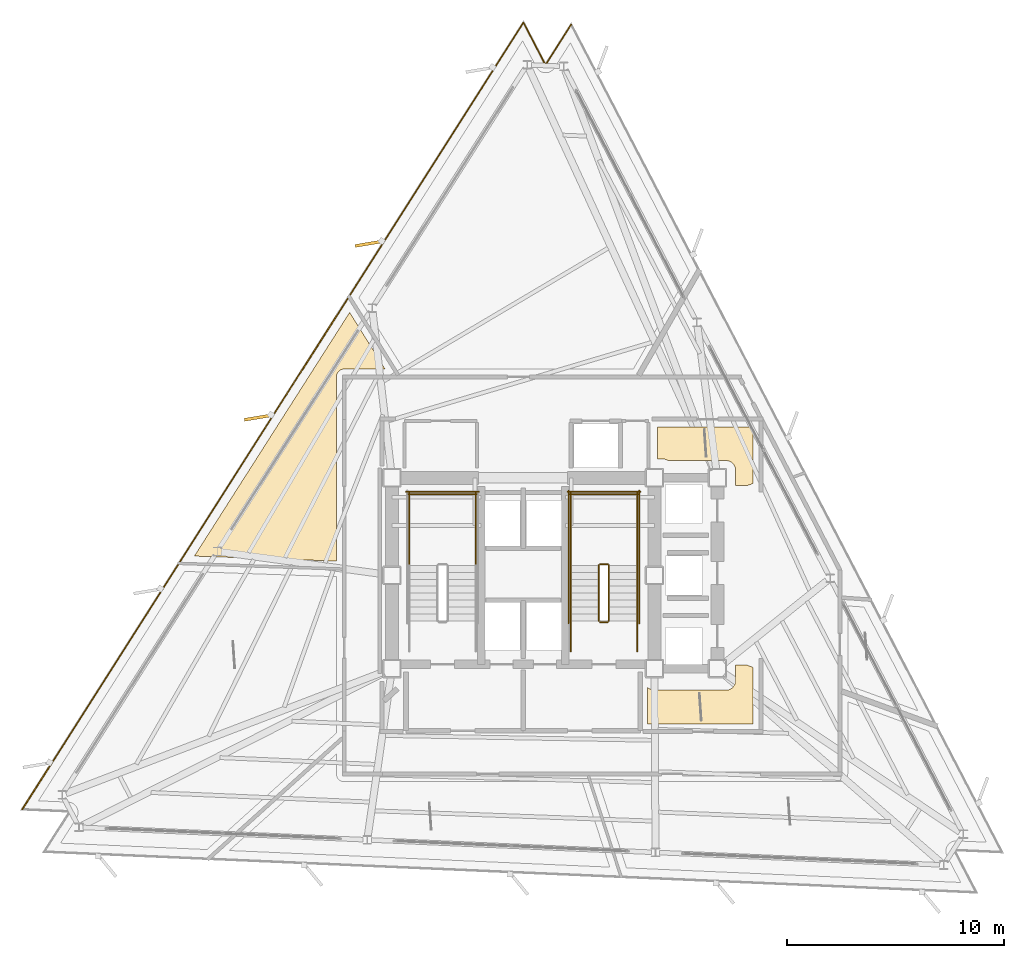
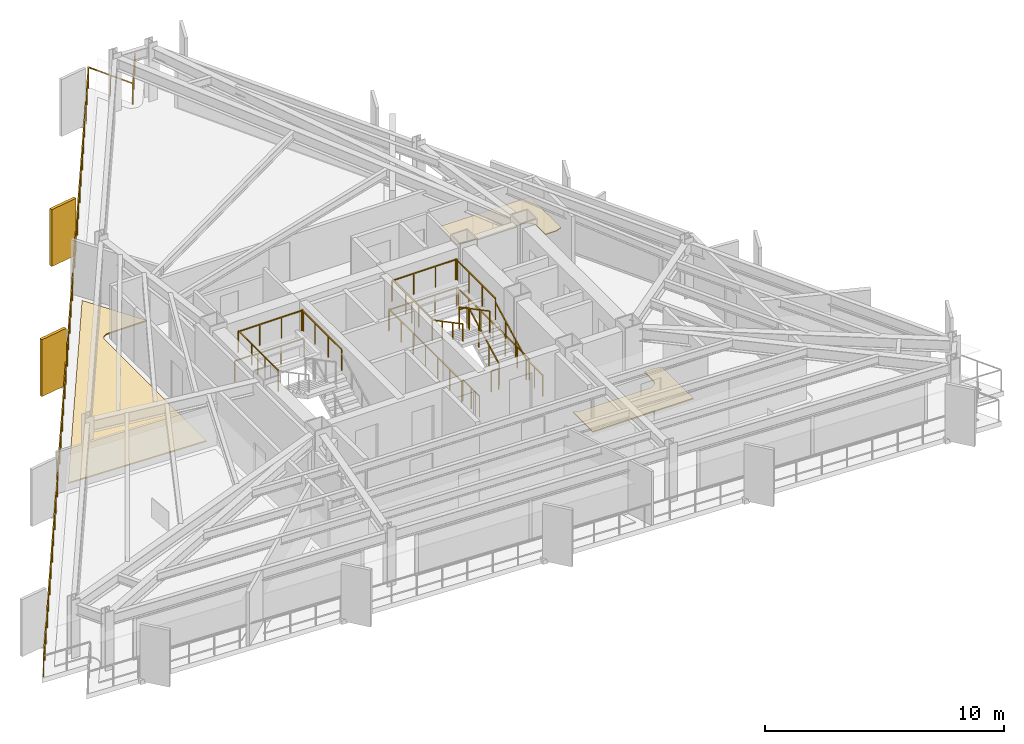
# One storey, part 11 of 12: 19 railings, 3 coverings, 2 shading devices.
"""IFC4 building model written with IfcOpenShell, lengths in metres."""

from ifc_helpers import new_model, si_unit, direction, frame, origin, origin_2d, place, context, subcontext, project, spatial, polyline, rectangle, outline, extrude, material, layer, layer_set, type_object, element, save


model = new_model("IFC4")

# Units and contexts
model_context = context("Model", 3, precision=1e-05, world=origin(), true_north=direction((0.0, 1.0)))
body_context = subcontext(model_context, "Body", "Model", "MODEL_VIEW")
ifc_project = project(units=[si_unit("LENGTHUNIT", "METRE"), si_unit("AREAUNIT", "SQUARE_METRE"), si_unit("VOLUMEUNIT", "CUBIC_METRE"), si_unit("PLANEANGLEUNIT", "RADIAN"), si_unit("MASSUNIT", "GRAM", prefix="KILO")], contexts=[model_context])

# Site, building, storey
site_placement = place(None, origin())
site = spatial("IfcSite", under=ifc_project, at=site_placement, CompositionType="ELEMENT")
building_placement = place(site_placement, origin())
building = spatial("IfcBuilding", under=site, at=building_placement, Name="Rocaltana Carrier Exchange", CompositionType="ELEMENT")
storey_placement = place(building_placement, frame((0.0, 0.0, 138.080078125)))
storey = spatial("IfcBuildingStorey", under=building, at=storey_placement, Name="L43", CompositionType="ELEMENT", Elevation=138.080078125)

# Coverings
ifc_material_1 = material(Name="Calcium Sulphate & Aluminium Pedestal", Category="aluminium")
ifc_layer_1 = layer(ifc_material_1, 0.06005859375)
ifc_layer_set_1 = layer_set([ifc_layer_1], Name="Calcium Sulphate & Aluminium Pedestal")
covering_type_1 = type_object("IfcCoveringType", Name="Anti-Static Raised Exchange Access Floor 60", PredefinedType="FLOORING", material=ifc_layer_set_1)
covering_1_placement = place(storey_placement, origin())
element("IfcCovering", 1, at=covering_1_placement, inside=storey, type_object=covering_type_1, Name="L43 Peering Conference Room Finish Floor", PredefinedType="FLOORING", context=body_context, shape_type="SweptSolid", body=[
    extrude(outline(polyline([(5.739990234375, -6.840087890625), (5.739990234375, -5.161865234375), (5.748779296875, -5.170654296875), (5.760498046875, -5.18115234375), (5.78173828125, -5.198486328125), (5.794189453125, -5.2080078125), (5.817138671875, -5.22314453125), (5.83056640625, -5.231201171875), (5.85498046875, -5.244140625), (5.869140625, -5.2509765625), (5.894287109375, -5.261474609375), (5.9091796875, -5.2666015625), (5.935546875, -5.274658203125), (5.95068359375, -5.278564453125), (5.977783203125, -5.283935546875), (5.9931640625, -5.2861328125), (6.0205078125, -5.288818359375), (6.036376953125, -5.289794921875), (6.050048828125, -5.2900390625), (9.35009765625, -5.2900390625), (9.36376953125, -5.289794921875), (9.37939453125, -5.288818359375), (9.40673828125, -5.2861328125), (9.42236328125, -5.283935546875), (9.44921875, -5.278564453125), (9.464599609375, -5.274658203125), (9.49072265625, -5.2666015625), (9.505615234375, -5.261474609375), (9.531005859375, -5.2509765625), (9.545166015625, -5.244140625), (9.5693359375, -5.231201171875), (9.582763671875, -5.22314453125), (9.605712890625, -5.2080078125), (9.618408203125, -5.198486328125), (9.639404296875, -5.18115234375), (9.651123046875, -5.170654296875), (9.670654296875, -5.151123046875), (9.68115234375, -5.139404296875), (9.698486328125, -5.118408203125), (9.7080078125, -5.105712890625), (9.72314453125, -5.082763671875), (9.731201171875, -5.0693359375), (9.744140625, -5.045166015625), (9.7509765625, -5.031005859375), (9.761474609375, -5.005615234375), (9.7666015625, -4.99072265625), (9.774658203125, -4.964599609375), (9.778564453125, -4.94921875), (9.783935546875, -4.92236328125), (9.7861328125, -4.90673828125), (9.788818359375, -4.87939453125), (9.789794921875, -4.86376953125), (9.7900390625, -4.85009765625), (9.7900390625, -4.139892578125), (10.322021484375, -4.139892578125), (10.60009765625, -4.2412109375), (10.60009765625, -6.840087890625), (5.739990234375, -6.840087890625)])), origin(), (0.0, 0.0, 1.0), 0.059814453125),
])
covering_2_placement = place(storey_placement, origin())
element("IfcCovering", 2, at=covering_2_placement, inside=storey, type_object=covering_type_1, Name="L43 Cloud Architecture Office Finish Floor", PredefinedType="FLOORING", context=body_context, shape_type="SweptSolid", body=[
    extrude(outline(polyline([(-8.0, 12.123291015625), (-6.366943359375, 9.510009765625), (-8.25, 9.510009765625), (-8.263671875, 9.509765625), (-8.271484375, 9.50927734375), (-8.298828125, 9.506591796875), (-8.306640625, 9.50537109375), (-8.33349609375, 9.5), (-8.34130859375, 9.498291015625), (-8.36767578125, 9.490234375), (-8.375, 9.487548828125), (-8.400390625, 9.47705078125), (-8.407470703125, 9.4736328125), (-8.431640625, 9.460693359375), (-8.4384765625, 9.456787109375), (-8.461181640625, 9.44140625), (-8.467529296875, 9.436767578125), (-8.48876953125, 9.419189453125), (-8.49462890625, 9.4140625), (-8.513916015625, 9.39453125), (-8.519287109375, 9.388916015625), (-8.53662109375, 9.367431640625), (-8.54150390625, 9.361083984375), (-8.556640625, 9.33837890625), (-8.560791015625, 9.331787109375), (-8.57373046875, 9.307373046875), (-8.576904296875, 9.30029296875), (-8.58740234375, 9.27490234375), (-8.590087890625, 9.267578125), (-8.59814453125, 9.2412109375), (-8.60009765625, 9.233642578125), (-8.60546875, 9.206787109375), (-8.606689453125, 9.198974609375), (-8.609375, 9.171630859375), (-8.609619140625, 9.163818359375), (-8.610107421875, 9.14990234375), (-8.610107421875, 0.660888671875), (-15.15673828125, 0.889404296875), (-8.0, 12.123291015625)])), origin(), (0.0, 0.0, 1.0), 0.059814453125),
])
ifc_material_2 = material(Name="Mineral Fibre & Powder-Coated Aluminium", Category="aluminium")
ifc_layer_2 = layer(ifc_material_2, 0.044921875)
ifc_layer_set_2 = layer_set([ifc_layer_2], Name="Mineral Fibre & Powder-Coated Aluminium")
covering_type_2 = type_object("IfcCoveringType", Name="Micro-Perforated Acoustic Ceiling 45", PredefinedType="CEILING", material=ifc_layer_set_2)
covering_3_placement = place(storey_placement, frame((0.0, 0.0, 2.012939453125)))
element("IfcCovering", 3, at=covering_3_placement, inside=storey, type_object=covering_type_2, Name="L43 Network Engineering Studio Acoustic Ceiling", PredefinedType="CEILING", context=body_context, shape_type="SweptSolid", body=[
    extrude(outline(polyline([(6.18994140625, 6.840087890625), (10.60009765625, 6.840087890625), (10.60009765625, 4.2412109375), (10.322021484375, 4.139892578125), (9.7900390625, 4.139892578125), (9.7900390625, 4.85009765625), (9.789794921875, 4.86376953125), (9.788818359375, 4.87939453125), (9.7861328125, 4.90673828125), (9.783935546875, 4.92236328125), (9.778564453125, 4.94921875), (9.774658203125, 4.964599609375), (9.7666015625, 4.99072265625), (9.761474609375, 5.005615234375), (9.7509765625, 5.031005859375), (9.744140625, 5.045166015625), (9.731201171875, 5.0693359375), (9.72314453125, 5.082763671875), (9.7080078125, 5.105712890625), (9.698486328125, 5.118408203125), (9.68115234375, 5.139404296875), (9.670654296875, 5.151123046875), (9.651123046875, 5.170654296875), (9.639404296875, 5.18115234375), (9.618408203125, 5.198486328125), (9.605712890625, 5.2080078125), (9.582763671875, 5.22314453125), (9.5693359375, 5.231201171875), (9.545166015625, 5.244140625), (9.531005859375, 5.2509765625), (9.505615234375, 5.261474609375), (9.49072265625, 5.2666015625), (9.464599609375, 5.274658203125), (9.44921875, 5.278564453125), (9.42236328125, 5.283935546875), (9.40673828125, 5.2861328125), (9.37939453125, 5.288818359375), (9.36376953125, 5.289794921875), (9.35009765625, 5.2900390625), (6.6875, 5.2900390625), (6.682861328125, 5.293212890625), (6.66943359375, 5.30126953125), (6.64501953125, 5.314208984375), (6.630859375, 5.32080078125), (6.605712890625, 5.33154296875), (6.5908203125, 5.336669921875), (6.564453125, 5.3447265625), (6.54931640625, 5.348388671875), (6.522216796875, 5.35400390625), (6.5068359375, 5.356201171875), (6.4794921875, 5.35888671875), (6.463623046875, 5.359619140625), (6.449951171875, 5.360107421875), (6.18994140625, 5.360107421875), (6.18994140625, 6.840087890625)])), origin(), (0.0, 0.0, 1.0), 0.044921875),
])

# Railings
ifc_material_3 = material(Name="Brushed Architectural Stainless Tube", Category="steel")
ifc_layer_3 = layer(ifc_material_3, 0.048095703125)
ifc_layer_set_3 = layer_set([ifc_layer_3], Name="Brushed Architectural Stainless Tube")
railing_type_1 = type_object("IfcRailingType", Name="Stair Wall Handrail 920", PredefinedType="HANDRAIL", material=ifc_layer_set_3)
railing_1_placement = place(storey_placement, frame((5.25, -2.10009765625, 0.168701171875)))
element("IfcRailing", 4, at=railing_1_placement, inside=storey, type_object=railing_type_1, Name="L43 ST-2 stair handrail 1", PredefinedType="HANDRAIL", context=body_context, shape_type="SweptSolid", body=[
    extrude(rectangle(XDim=0.048095703125, YDim=0.048095703125, at=origin_2d()), frame((0.0, 0.0, 0.8759765625), z_axis=(0.0, 0.884359608194, 0.46680625895), x_axis=(-1.0, 0.0, 0.0)), (0.0, 0.0, 1.0), 2.894775390625),
    extrude(rectangle(XDim=0.0419921875, YDim=0.0419921875, at=origin_2d()), origin(), (0.0, 0.0, 1.0), 0.851806640625),
    extrude(rectangle(XDim=0.0419921875, YDim=0.0419921875, at=origin_2d()), frame((0.0, 0.853271484375, 0.450439453125)), (0.0, 0.0, 1.0), 0.851806640625),
    extrude(rectangle(XDim=0.0419921875, YDim=0.0419921875, at=origin_2d()), frame((0.0, 1.706787109375, 0.90087890625)), (0.0, 0.0, 1.0), 0.851806640625),
    extrude(rectangle(XDim=0.0419921875, YDim=0.0419921875, at=origin_2d()), frame((0.0, 2.56005859375, 1.351318359375)), (0.0, 0.0, 1.0), 0.851806640625),
])
railing_2_placement = place(storey_placement, frame((2.18994140625, 0.4599609375, 1.688720703125)))
element("IfcRailing", 5, at=railing_2_placement, inside=storey, type_object=railing_type_1, Name="L43 ST-2 stair handrail 2", PredefinedType="HANDRAIL", context=body_context, shape_type="SweptSolid", body=[
    extrude(rectangle(XDim=0.048095703125, YDim=0.048095703125, at=origin_2d()), frame((0.0, 0.0, 0.8759765625), z_axis=(0.0, -0.884359608194, 0.46680625895), x_axis=(1.0, 0.0, 0.0)), (0.0, 0.0, 1.0), 2.894775390625),
    extrude(rectangle(XDim=0.0419921875, YDim=0.0419921875, at=origin_2d()), origin(), (0.0, 0.0, 1.0), 0.851806640625),
    extrude(rectangle(XDim=0.0419921875, YDim=0.0419921875, at=origin_2d()), frame((0.0, -0.853271484375, 0.450439453125)), (0.0, 0.0, 1.0), 0.851806640625),
    extrude(rectangle(XDim=0.0419921875, YDim=0.0419921875, at=origin_2d()), frame((0.0, -1.706787109375, 0.90087890625)), (0.0, 0.0, 1.0), 0.851806640625),
    extrude(rectangle(XDim=0.0419921875, YDim=0.0419921875, at=origin_2d()), frame((0.0, -2.56005859375, 1.351318359375)), (0.0, 0.0, 1.0), 0.851806640625),
])
ifc_material_4 = material(Name="Powder-Coated Aluminium 6063-T6", Category="aluminium")
ifc_layer_4 = layer(ifc_material_4, 0.048095703125)
ifc_layer_set_4 = layer_set([ifc_layer_4], Name="Powder-Coated Aluminium 6063-T6")
railing_type_2 = type_object("IfcRailingType", Name="Stair Well Guardrail 1100", PredefinedType="GUARDRAIL", material=ifc_layer_set_4)
for number, where, name in (
    (6, (-2.18994140625, 0.4599609375, 1.52001953125), "L43 ST-1 stair guard 3"),
    (7, (-5.25, 0.4599609375, 1.52001953125), "L43 ST-1 stair guard 4"),
):
    element("IfcRailing", number, at=place(storey_placement, frame(where)), inside=storey, type_object=railing_type_2, Name=name, PredefinedType="GUARDRAIL", context=body_context, shape_type="SweptSolid", body=[
        extrude(rectangle(XDim=0.048095703125, YDim=0.048095703125, at=origin_2d()), frame((0.0, 0.0, 1.076171875), z_axis=(0.0, 1.0, 0.0), x_axis=(-1.0, 0.0, 0.0)), (0.0, 0.0, 1.0), 3.340087890625),
        extrude(rectangle(XDim=0.0419921875, YDim=0.0419921875, at=origin_2d()), origin(), (0.0, 0.0, 1.0), 1.052001953125),
        extrude(rectangle(XDim=0.0419921875, YDim=0.0419921875, at=origin_2d()), frame((0.0, 1.11328125, 0.0)), (0.0, 0.0, 1.0), 1.052001953125),
        extrude(rectangle(XDim=0.0419921875, YDim=0.0419921875, at=origin_2d()), frame((0.0, 2.226806640625, 0.0)), (0.0, 0.0, 1.0), 1.052001953125),
        extrude(rectangle(XDim=0.0419921875, YDim=0.0419921875, at=origin_2d()), frame((0.0, 3.340087890625, 0.0)), (0.0, 0.0, 1.0), 1.052001953125),
    ])
railing_3_placement = place(storey_placement, frame((-2.139892578125, 3.75, 1.52001953125)))
element("IfcRailing", 8, at=railing_3_placement, inside=storey, type_object=railing_type_2, Name="L43 ST-1 stair guard 5", PredefinedType="GUARDRAIL", context=body_context, shape_type="SweptSolid", body=[
    extrude(rectangle(XDim=0.048095703125, YDim=0.048095703125, at=origin_2d()), frame((0.0, 0.0, 1.076171875), z_axis=(-1.0, 0.0, 0.0), x_axis=(0.0, -1.0, 0.0)), (0.0, 0.0, 1.0), 3.16015625),
    extrude(rectangle(XDim=0.0419921875, YDim=0.0419921875, at=origin_2d()), origin(), (0.0, 0.0, 1.0), 1.052001953125),
    extrude(rectangle(XDim=0.0419921875, YDim=0.0419921875, at=origin_2d()), frame((-1.053466796875, 0.0, 0.0)), (0.0, 0.0, 1.0), 1.052001953125),
    extrude(rectangle(XDim=0.0419921875, YDim=0.0419921875, at=origin_2d()), frame((-2.106689453125, 0.0, 0.0)), (0.0, 0.0, 1.0), 1.052001953125),
    extrude(rectangle(XDim=0.0419921875, YDim=0.0419921875, at=origin_2d()), frame((-3.16015625, 0.0, 0.0)), (0.0, 0.0, 1.0), 1.052001953125),
])
railing_4_placement = place(storey_placement, frame((-2.0400390625, 3.85009765625, 0.0)))
element("IfcRailing", 9, at=railing_4_placement, inside=storey, type_object=railing_type_2, Name="L43 ST-1 stair guard 12", PredefinedType="GUARDRAIL", context=body_context, shape_type="SweptSolid", body=[
    extrude(rectangle(XDim=0.048095703125, YDim=0.048095703125, at=origin_2d()), frame((0.0, 0.0, 1.076171875), z_axis=(-1.0, 0.0, 0.0), x_axis=(0.0, -1.0, 0.0)), (0.0, 0.0, 1.0), 3.35986328125),
    extrude(rectangle(XDim=0.0419921875, YDim=0.0419921875, at=origin_2d()), origin(), (0.0, 0.0, 1.0), 1.052001953125),
    extrude(rectangle(XDim=0.0419921875, YDim=0.0419921875, at=origin_2d()), frame((-1.119873046875, 0.0, 0.0)), (0.0, 0.0, 1.0), 1.052001953125),
    extrude(rectangle(XDim=0.0419921875, YDim=0.0419921875, at=origin_2d()), frame((-2.239990234375, 0.0, 0.0)), (0.0, 0.0, 1.0), 1.052001953125),
    extrude(rectangle(XDim=0.0419921875, YDim=0.0419921875, at=origin_2d()), frame((-3.35986328125, 0.0, 0.0)), (0.0, 0.0, 1.0), 1.052001953125),
])
railing_5_placement = place(storey_placement, frame((3.949951171875, -2.10009765625, 0.168701171875)))
element("IfcRailing", 10, at=railing_5_placement, inside=storey, type_object=railing_type_2, Name="L43 ST-2 stair guard 1", PredefinedType="GUARDRAIL", context=body_context, shape_type="SweptSolid", body=[
    extrude(rectangle(XDim=0.048095703125, YDim=0.048095703125, at=origin_2d()), frame((0.0, 0.0, 1.076171875), z_axis=(0.0, 0.884359608194, 0.46680625895), x_axis=(-1.0, 0.0, 0.0)), (0.0, 0.0, 1.0), 2.894775390625),
    extrude(rectangle(XDim=0.0419921875, YDim=0.0419921875, at=origin_2d()), origin(), (0.0, 0.0, 1.0), 1.052001953125),
    extrude(rectangle(XDim=0.0419921875, YDim=0.0419921875, at=origin_2d()), frame((0.0, 0.853271484375, 0.450439453125)), (0.0, 0.0, 1.0), 1.052001953125),
    extrude(rectangle(XDim=0.0419921875, YDim=0.0419921875, at=origin_2d()), frame((0.0, 1.706787109375, 0.90087890625)), (0.0, 0.0, 1.0), 1.052001953125),
    extrude(rectangle(XDim=0.0419921875, YDim=0.0419921875, at=origin_2d()), frame((0.0, 2.56005859375, 1.351318359375)), (0.0, 0.0, 1.0), 1.052001953125),
])
railing_6_placement = place(storey_placement, frame((3.89990234375, 0.510009765625, 1.52001953125)))
element("IfcRailing", 11, at=railing_6_placement, inside=storey, type_object=railing_type_2, Name="L43 ST-2 stair guard 2", PredefinedType="GUARDRAIL", context=body_context, shape_type="SweptSolid", body=[
    extrude(rectangle(XDim=0.048095703125, YDim=0.048095703125, at=origin_2d()), frame((0.0, 0.0, 1.076171875), z_axis=(-1.0, 0.0, 0.0), x_axis=(0.0, -1.0, 0.0)), (0.0, 0.0, 1.0), 0.35986328125),
    extrude(rectangle(XDim=0.0419921875, YDim=0.0419921875, at=origin_2d()), origin(), (0.0, 0.0, 1.0), 1.052001953125),
    extrude(rectangle(XDim=0.0419921875, YDim=0.0419921875, at=origin_2d()), frame((-0.35986328125, 0.0, 0.0)), (0.0, 0.0, 1.0), 1.052001953125),
])
for number, where, name in (
    (12, (5.25, 0.4599609375, 1.52001953125), "L43 ST-2 stair guard 3"),
    (13, (2.18994140625, 0.4599609375, 1.52001953125), "L43 ST-2 stair guard 4"),
):
    element("IfcRailing", number, at=place(storey_placement, frame(where)), inside=storey, type_object=railing_type_2, Name=name, PredefinedType="GUARDRAIL", context=body_context, shape_type="SweptSolid", body=[
        extrude(rectangle(XDim=0.048095703125, YDim=0.048095703125, at=origin_2d()), frame((0.0, 0.0, 1.076171875), z_axis=(0.0, 1.0, 0.0), x_axis=(-1.0, 0.0, 0.0)), (0.0, 0.0, 1.0), 3.340087890625),
        extrude(rectangle(XDim=0.0419921875, YDim=0.0419921875, at=origin_2d()), origin(), (0.0, 0.0, 1.0), 1.052001953125),
        extrude(rectangle(XDim=0.0419921875, YDim=0.0419921875, at=origin_2d()), frame((0.0, 1.11328125, 0.0)), (0.0, 0.0, 1.0), 1.052001953125),
        extrude(rectangle(XDim=0.0419921875, YDim=0.0419921875, at=origin_2d()), frame((0.0, 2.226806640625, 0.0)), (0.0, 0.0, 1.0), 1.052001953125),
        extrude(rectangle(XDim=0.0419921875, YDim=0.0419921875, at=origin_2d()), frame((0.0, 3.340087890625, 0.0)), (0.0, 0.0, 1.0), 1.052001953125),
    ])
railing_7_placement = place(storey_placement, frame((5.300048828125, 3.75, 1.52001953125)))
element("IfcRailing", 14, at=railing_7_placement, inside=storey, type_object=railing_type_2, Name="L43 ST-2 stair guard 5", PredefinedType="GUARDRAIL", context=body_context, shape_type="SweptSolid", body=[
    extrude(rectangle(XDim=0.048095703125, YDim=0.048095703125, at=origin_2d()), frame((0.0, 0.0, 1.076171875), z_axis=(-1.0, 0.0, 0.0), x_axis=(0.0, -1.0, 0.0)), (0.0, 0.0, 1.0), 3.16015625),
    extrude(rectangle(XDim=0.0419921875, YDim=0.0419921875, at=origin_2d()), origin(), (0.0, 0.0, 1.0), 1.052001953125),
    extrude(rectangle(XDim=0.0419921875, YDim=0.0419921875, at=origin_2d()), frame((-1.053466796875, 0.0, 0.0)), (0.0, 0.0, 1.0), 1.052001953125),
    extrude(rectangle(XDim=0.0419921875, YDim=0.0419921875, at=origin_2d()), frame((-2.106689453125, 0.0, 0.0)), (0.0, 0.0, 1.0), 1.052001953125),
    extrude(rectangle(XDim=0.0419921875, YDim=0.0419921875, at=origin_2d()), frame((-3.16015625, 0.0, 0.0)), (0.0, 0.0, 1.0), 1.052001953125),
])
railing_8_placement = place(storey_placement, frame((3.489990234375, 0.4599609375, 1.688720703125)))
element("IfcRailing", 15, at=railing_8_placement, inside=storey, type_object=railing_type_2, Name="L43 ST-2 stair guard 6", PredefinedType="GUARDRAIL", context=body_context, shape_type="SweptSolid", body=[
    extrude(rectangle(XDim=0.048095703125, YDim=0.048095703125, at=origin_2d()), frame((0.0, 0.0, 1.076171875), z_axis=(0.0, -0.884359608194, 0.46680625895), x_axis=(1.0, 0.0, 0.0)), (0.0, 0.0, 1.0), 2.894775390625),
    extrude(rectangle(XDim=0.0419921875, YDim=0.0419921875, at=origin_2d()), origin(), (0.0, 0.0, 1.0), 1.052001953125),
    extrude(rectangle(XDim=0.0419921875, YDim=0.0419921875, at=origin_2d()), frame((0.0, -0.853271484375, 0.450439453125)), (0.0, 0.0, 1.0), 1.052001953125),
    extrude(rectangle(XDim=0.0419921875, YDim=0.0419921875, at=origin_2d()), frame((0.0, -1.706787109375, 0.90087890625)), (0.0, 0.0, 1.0), 1.052001953125),
    extrude(rectangle(XDim=0.0419921875, YDim=0.0419921875, at=origin_2d()), frame((0.0, -2.56005859375, 1.351318359375)), (0.0, 0.0, 1.0), 1.052001953125),
])
railing_9_placement = place(storey_placement, frame((3.89990234375, -2.14990234375, 0.0)))
element("IfcRailing", 16, at=railing_9_placement, inside=storey, type_object=railing_type_2, Name="L43 ST-2 stair guard 7", PredefinedType="GUARDRAIL", context=body_context, shape_type="SweptSolid", body=[
    extrude(rectangle(XDim=0.048095703125, YDim=0.048095703125, at=origin_2d()), frame((0.0, 0.0, 1.076171875), z_axis=(-1.0, 0.0, 0.0), x_axis=(0.0, -1.0, 0.0)), (0.0, 0.0, 1.0), 0.35986328125),
    extrude(rectangle(XDim=0.0419921875, YDim=0.0419921875, at=origin_2d()), origin(), (0.0, 0.0, 1.0), 1.052001953125),
    extrude(rectangle(XDim=0.0419921875, YDim=0.0419921875, at=origin_2d()), frame((-0.35986328125, 0.0, 0.0)), (0.0, 0.0, 1.0), 1.052001953125),
])
for number, where, name in (
    (17, (5.25, -3.5, 0.0), "L43 ST-2 stair guard 8"),
    (18, (2.18994140625, -3.5, 0.0), "L43 ST-2 stair guard 9"),
):
    element("IfcRailing", number, at=place(storey_placement, frame(where)), inside=storey, type_object=railing_type_2, Name=name, PredefinedType="GUARDRAIL", context=body_context, shape_type="SweptSolid", body=[
        extrude(rectangle(XDim=0.048095703125, YDim=0.048095703125, at=origin_2d()), frame((0.0, 0.0, 1.076171875), z_axis=(0.0, 1.0, 0.0), x_axis=(-1.0, 0.0, 0.0)), (0.0, 0.0, 1.0), 1.39990234375),
        extrude(rectangle(XDim=0.0419921875, YDim=0.0419921875, at=origin_2d()), origin(), (0.0, 0.0, 1.0), 1.052001953125),
        extrude(rectangle(XDim=0.0419921875, YDim=0.0419921875, at=origin_2d()), frame((0.0, 0.699951171875, 0.0)), (0.0, 0.0, 1.0), 1.052001953125),
        extrude(rectangle(XDim=0.0419921875, YDim=0.0419921875, at=origin_2d()), frame((0.0, 1.39990234375, 0.0)), (0.0, 0.0, 1.0), 1.052001953125),
    ])
for number, where, name in (
    (19, (5.35009765625, -2.199951171875, 0.0), "L43 ST-2 stair guard 10"),
    (20, (2.090087890625, -2.199951171875, 0.0), "L43 ST-2 stair guard 11"),
):
    element("IfcRailing", number, at=place(storey_placement, frame(where)), inside=storey, type_object=railing_type_2, Name=name, PredefinedType="GUARDRAIL", context=body_context, shape_type="SweptSolid", body=[
        extrude(rectangle(XDim=0.048095703125, YDim=0.048095703125, at=origin_2d()), frame((0.0, 0.0, 1.076171875), z_axis=(0.0, 1.0, 0.0), x_axis=(-1.0, 0.0, 0.0)), (0.0, 0.0, 1.0), 6.099853515625),
        extrude(rectangle(XDim=0.0419921875, YDim=0.0419921875, at=origin_2d()), origin(), (0.0, 0.0, 1.0), 1.052001953125),
        extrude(rectangle(XDim=0.0419921875, YDim=0.0419921875, at=origin_2d()), frame((0.0, 1.0166015625, 0.0)), (0.0, 0.0, 1.0), 1.052001953125),
        extrude(rectangle(XDim=0.0419921875, YDim=0.0419921875, at=origin_2d()), frame((0.0, 2.033203125, 0.0)), (0.0, 0.0, 1.0), 1.052001953125),
        extrude(rectangle(XDim=0.0419921875, YDim=0.0419921875, at=origin_2d()), frame((0.0, 3.0498046875, 0.0)), (0.0, 0.0, 1.0), 1.052001953125),
        extrude(rectangle(XDim=0.0419921875, YDim=0.0419921875, at=origin_2d()), frame((0.0, 4.066650390625, 0.0)), (0.0, 0.0, 1.0), 1.052001953125),
        extrude(rectangle(XDim=0.0419921875, YDim=0.0419921875, at=origin_2d()), frame((0.0, 5.083251953125, 0.0)), (0.0, 0.0, 1.0), 1.052001953125),
        extrude(rectangle(XDim=0.0419921875, YDim=0.0419921875, at=origin_2d()), frame((0.0, 6.099853515625, 0.0)), (0.0, 0.0, 1.0), 1.052001953125),
    ])
railing_10_placement = place(storey_placement, frame((5.39990234375, 3.85009765625, 0.0)))
element("IfcRailing", 21, at=railing_10_placement, inside=storey, type_object=railing_type_2, Name="L43 ST-2 stair guard 12", PredefinedType="GUARDRAIL", context=body_context, shape_type="SweptSolid", body=[
    extrude(rectangle(XDim=0.048095703125, YDim=0.048095703125, at=origin_2d()), frame((0.0, 0.0, 1.076171875), z_axis=(-1.0, 0.0, 0.0), x_axis=(0.0, -1.0, 0.0)), (0.0, 0.0, 1.0), 3.35986328125),
    extrude(rectangle(XDim=0.0419921875, YDim=0.0419921875, at=origin_2d()), origin(), (0.0, 0.0, 1.0), 1.052001953125),
    extrude(rectangle(XDim=0.0419921875, YDim=0.0419921875, at=origin_2d()), frame((-1.119873046875, 0.0, 0.0)), (0.0, 0.0, 1.0), 1.052001953125),
    extrude(rectangle(XDim=0.0419921875, YDim=0.0419921875, at=origin_2d()), frame((-2.239990234375, 0.0, 0.0)), (0.0, 0.0, 1.0), 1.052001953125),
    extrude(rectangle(XDim=0.0419921875, YDim=0.0419921875, at=origin_2d()), frame((-3.35986328125, 0.0, 0.0)), (0.0, 0.0, 1.0), 1.052001953125),
])

# Shading devices
ifc_material_5 = material(Name="Honed Bogota Sandstone & Concrete C45/55", Category="masonry")
ifc_layer_5 = layer(ifc_material_5, 0.139892578125)
ifc_layer_set_5 = layer_set([ifc_layer_5], Name="Honed Bogota Sandstone & Concrete C45/55")
shading_device_type = type_object("IfcShadingDeviceType", Name="Vertical Sandstone Shading Fin 1320x140", PredefinedType="USERDEFINED", material=ifc_layer_set_5)
for number, where, z_axis, x_axis, name in (
    (22, (-7.09619140625, 15.29296875, -0.1201171875), (0.0, 0.0, 1.0), (-0.986285601537, -0.165047605861, 0.0), "L43 Sandstone Vertical Fin F2-02"),
    (23, (-12.200439453125, 7.28076171875, -0.1201171875), (0.0, 0.0, 1.0), (-0.986285601537, -0.165047605861, 0.0), "L43 Sandstone Vertical Fin F2-03"),
):
    element("IfcShadingDevice", number, at=place(storey_placement, frame(where, z_axis=z_axis, x_axis=x_axis)), inside=storey, type_object=shading_device_type, Name=name, ObjectType="FIN", PredefinedType="USERDEFINED", context=body_context, shape_type="SweptSolid", body=[
        extrude(rectangle(XDim=1.320068359375, YDim=0.139892578125, at=origin_2d()), origin(), (0.0, 0.0, 1.0), 2.907958984375),
    ])

# Railing
ifc_material_6 = material(Name="Powder-Coated Aluminium 6063-T6", Category="aluminium")
ifc_layer_6 = layer(ifc_material_6, 0.06005859375)
ifc_layer_set_6 = layer_set([ifc_layer_6], Name="Powder-Coated Aluminium 6063-T6")
railing_type_3 = type_object("IfcRailingType", Name="Wind-Floor & Terrace Perimeter Guardrail 1100", PredefinedType="GUARDRAIL", material=ifc_layer_set_6)
railing_11_placement = place(storey_placement, frame((-23.08837890625, -10.77880859375, 0.0)))
element("IfcRailing", 24, at=railing_11_placement, inside=storey, type_object=railing_type_3, Name="L43 Perimeter Balcony Guardrail 2", PredefinedType="GUARDRAIL", context=body_context, shape_type="SweptSolid", body=[
    extrude(rectangle(XDim=0.048095703125, YDim=0.048095703125, at=origin_2d()), frame((0.0, 0.0, 1.076171875), z_axis=(0.537302027916, 0.843389904373, 0.0), x_axis=(-0.843389904373, 0.537302027916, 0.0)), (0.0, 0.0, 1.0), 42.9921875),
    extrude(rectangle(XDim=0.048095703125, YDim=0.048095703125, at=origin_2d()), frame((23.099853515625, 36.25927734375, 1.076171875), z_axis=(0.46171255631, -0.887029602294, 0.0), x_axis=(0.887029602294, 0.46171255631, 0.0)), (0.0, 0.0, 1.0), 2.2001953125),
    extrude(rectangle(XDim=0.048095703125, YDim=0.048095703125, at=origin_2d()), frame((24.11572265625, 34.3076171875, 1.076171875), z_axis=(0.537270321913, 0.843410102614, 0.0), x_axis=(-0.843410102614, 0.537270321913, 0.0)), (0.0, 0.0, 1.0), 2.2001953125),
    extrude(rectangle(XDim=0.0419921875, YDim=0.0419921875, at=origin_2d()), origin(), (0.0, 0.0, 1.0), 1.052001953125),
    extrude(rectangle(XDim=0.0419921875, YDim=0.0419921875, at=origin_2d()), frame((0.6416015625, 1.00732421875, 0.0)), (0.0, 0.0, 1.0), 1.052001953125),
    extrude(rectangle(XDim=0.0419921875, YDim=0.0419921875, at=origin_2d()), frame((1.283203125, 2.014404296875, 0.0)), (0.0, 0.0, 1.0), 1.052001953125),
    extrude(rectangle(XDim=0.0419921875, YDim=0.0419921875, at=origin_2d()), frame((1.925048828125, 3.021484375, 0.0)), (0.0, 0.0, 1.0), 1.052001953125),
    extrude(rectangle(XDim=0.0419921875, YDim=0.0419921875, at=origin_2d()), frame((2.566650390625, 4.02880859375, 0.0)), (0.0, 0.0, 1.0), 1.052001953125),
    extrude(rectangle(XDim=0.0419921875, YDim=0.0419921875, at=origin_2d()), frame((3.208251953125, 5.0361328125, 0.0)), (0.0, 0.0, 1.0), 1.052001953125),
    extrude(rectangle(XDim=0.0419921875, YDim=0.0419921875, at=origin_2d()), frame((3.85009765625, 6.043212890625, 0.0)), (0.0, 0.0, 1.0), 1.052001953125),
    extrude(rectangle(XDim=0.0419921875, YDim=0.0419921875, at=origin_2d()), frame((4.49169921875, 7.05029296875, 0.0)), (0.0, 0.0, 1.0), 1.052001953125),
    extrude(rectangle(XDim=0.0419921875, YDim=0.0419921875, at=origin_2d()), frame((5.13330078125, 8.0576171875, 0.0)), (0.0, 0.0, 1.0), 1.052001953125),
    extrude(rectangle(XDim=0.0419921875, YDim=0.0419921875, at=origin_2d()), frame((5.77490234375, 9.06494140625, 0.0)), (0.0, 0.0, 1.0), 1.052001953125),
    extrude(rectangle(XDim=0.0419921875, YDim=0.0419921875, at=origin_2d()), frame((6.41650390625, 10.072021484375, 0.0)), (0.0, 0.0, 1.0), 1.052001953125),
    extrude(rectangle(XDim=0.0419921875, YDim=0.0419921875, at=origin_2d()), frame((7.058349609375, 11.079345703125, 0.0)), (0.0, 0.0, 1.0), 1.052001953125),
    extrude(rectangle(XDim=0.0419921875, YDim=0.0419921875, at=origin_2d()), frame((7.699951171875, 12.08642578125, 0.0)), (0.0, 0.0, 1.0), 1.052001953125),
    extrude(rectangle(XDim=0.0419921875, YDim=0.0419921875, at=origin_2d()), frame((8.341552734375, 13.09375, 0.0)), (0.0, 0.0, 1.0), 1.052001953125),
    extrude(rectangle(XDim=0.0419921875, YDim=0.0419921875, at=origin_2d()), frame((8.9833984375, 14.100830078125, 0.0)), (0.0, 0.0, 1.0), 1.052001953125),
    extrude(rectangle(XDim=0.0419921875, YDim=0.0419921875, at=origin_2d()), frame((9.625, 15.10791015625, 0.0)), (0.0, 0.0, 1.0), 1.052001953125),
    extrude(rectangle(XDim=0.0419921875, YDim=0.0419921875, at=origin_2d()), frame((10.2666015625, 16.115234375, 0.0)), (0.0, 0.0, 1.0), 1.052001953125),
    extrude(rectangle(XDim=0.0419921875, YDim=0.0419921875, at=origin_2d()), frame((10.908203125, 17.12255859375, 0.0)), (0.0, 0.0, 1.0), 1.052001953125),
    extrude(rectangle(XDim=0.0419921875, YDim=0.0419921875, at=origin_2d()), frame((11.5498046875, 18.129638671875, 0.0)), (0.0, 0.0, 1.0), 1.052001953125),
    extrude(rectangle(XDim=0.0419921875, YDim=0.0419921875, at=origin_2d()), frame((12.191650390625, 19.13671875, 0.0)), (0.0, 0.0, 1.0), 1.052001953125),
    extrude(rectangle(XDim=0.0419921875, YDim=0.0419921875, at=origin_2d()), frame((12.833251953125, 20.14404296875, 0.0)), (0.0, 0.0, 1.0), 1.052001953125),
    extrude(rectangle(XDim=0.0419921875, YDim=0.0419921875, at=origin_2d()), frame((13.474853515625, 21.1513671875, 0.0)), (0.0, 0.0, 1.0), 1.052001953125),
    extrude(rectangle(XDim=0.0419921875, YDim=0.0419921875, at=origin_2d()), frame((14.11669921875, 22.158447265625, 0.0)), (0.0, 0.0, 1.0), 1.052001953125),
    extrude(rectangle(XDim=0.0419921875, YDim=0.0419921875, at=origin_2d()), frame((14.75830078125, 23.16552734375, 0.0)), (0.0, 0.0, 1.0), 1.052001953125),
    extrude(rectangle(XDim=0.0419921875, YDim=0.0419921875, at=origin_2d()), frame((15.39990234375, 24.1728515625, 0.0)), (0.0, 0.0, 1.0), 1.052001953125),
    extrude(rectangle(XDim=0.0419921875, YDim=0.0419921875, at=origin_2d()), frame((16.04150390625, 25.18017578125, 0.0)), (0.0, 0.0, 1.0), 1.052001953125),
    extrude(rectangle(XDim=0.0419921875, YDim=0.0419921875, at=origin_2d()), frame((16.68310546875, 26.187255859375, 0.0)), (0.0, 0.0, 1.0), 1.052001953125),
    extrude(rectangle(XDim=0.0419921875, YDim=0.0419921875, at=origin_2d()), frame((17.324951171875, 27.1943359375, 0.0)), (0.0, 0.0, 1.0), 1.052001953125),
    extrude(rectangle(XDim=0.0419921875, YDim=0.0419921875, at=origin_2d()), frame((17.966552734375, 28.20166015625, 0.0)), (0.0, 0.0, 1.0), 1.052001953125),
    extrude(rectangle(XDim=0.0419921875, YDim=0.0419921875, at=origin_2d()), frame((18.608154296875, 29.208984375, 0.0)), (0.0, 0.0, 1.0), 1.052001953125),
    extrude(rectangle(XDim=0.0419921875, YDim=0.0419921875, at=origin_2d()), frame((19.25, 30.216064453125, 0.0)), (0.0, 0.0, 1.0), 1.052001953125),
    extrude(rectangle(XDim=0.0419921875, YDim=0.0419921875, at=origin_2d()), frame((19.8916015625, 31.223388671875, 0.0)), (0.0, 0.0, 1.0), 1.052001953125),
    extrude(rectangle(XDim=0.0419921875, YDim=0.0419921875, at=origin_2d()), frame((20.533203125, 32.23046875, 0.0)), (0.0, 0.0, 1.0), 1.052001953125),
    extrude(rectangle(XDim=0.0419921875, YDim=0.0419921875, at=origin_2d()), frame((21.1748046875, 33.23779296875, 0.0)), (0.0, 0.0, 1.0), 1.052001953125),
    extrude(rectangle(XDim=0.0419921875, YDim=0.0419921875, at=origin_2d()), frame((21.81640625, 34.244873046875, 0.0)), (0.0, 0.0, 1.0), 1.052001953125),
    extrude(rectangle(XDim=0.0419921875, YDim=0.0419921875, at=origin_2d()), frame((22.458251953125, 35.251953125, 0.0)), (0.0, 0.0, 1.0), 1.052001953125),
    extrude(rectangle(XDim=0.0419921875, YDim=0.0419921875, at=origin_2d()), frame((23.099853515625, 36.25927734375, 0.0)), (0.0, 0.0, 1.0), 1.052001953125),
    extrude(rectangle(XDim=0.0419921875, YDim=0.0419921875, at=origin_2d()), frame((23.60791015625, 35.283447265625, 0.0)), (0.0, 0.0, 1.0), 1.052001953125),
    extrude(rectangle(XDim=0.0419921875, YDim=0.0419921875, at=origin_2d()), frame((24.11572265625, 34.3076171875, 0.0)), (0.0, 0.0, 1.0), 1.052001953125),
    extrude(rectangle(XDim=0.0419921875, YDim=0.0419921875, at=origin_2d()), frame((24.706787109375, 35.2353515625, 0.0)), (0.0, 0.0, 1.0), 1.052001953125),
    extrude(rectangle(XDim=0.0419921875, YDim=0.0419921875, at=origin_2d()), frame((25.2978515625, 36.163330078125, 0.0)), (0.0, 0.0, 1.0), 1.052001953125),
])

save(model, "model.ifc")
